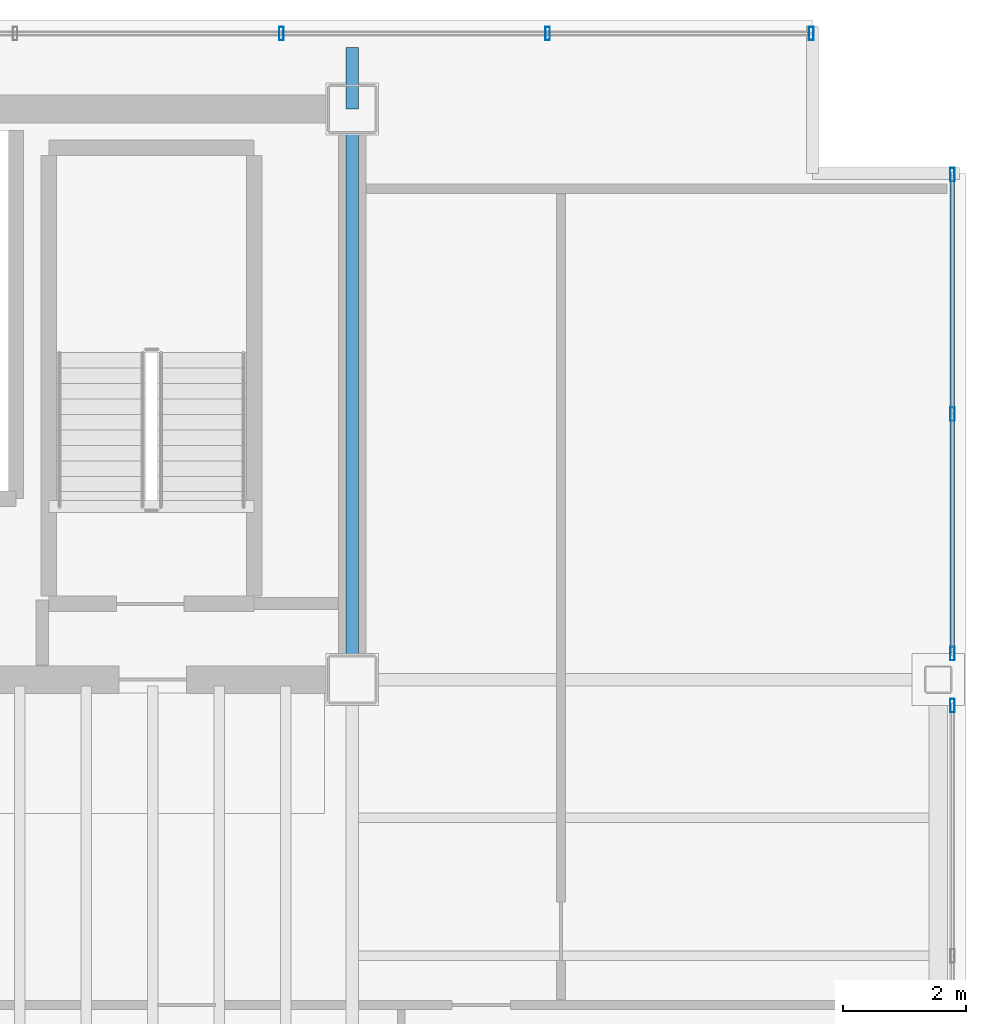
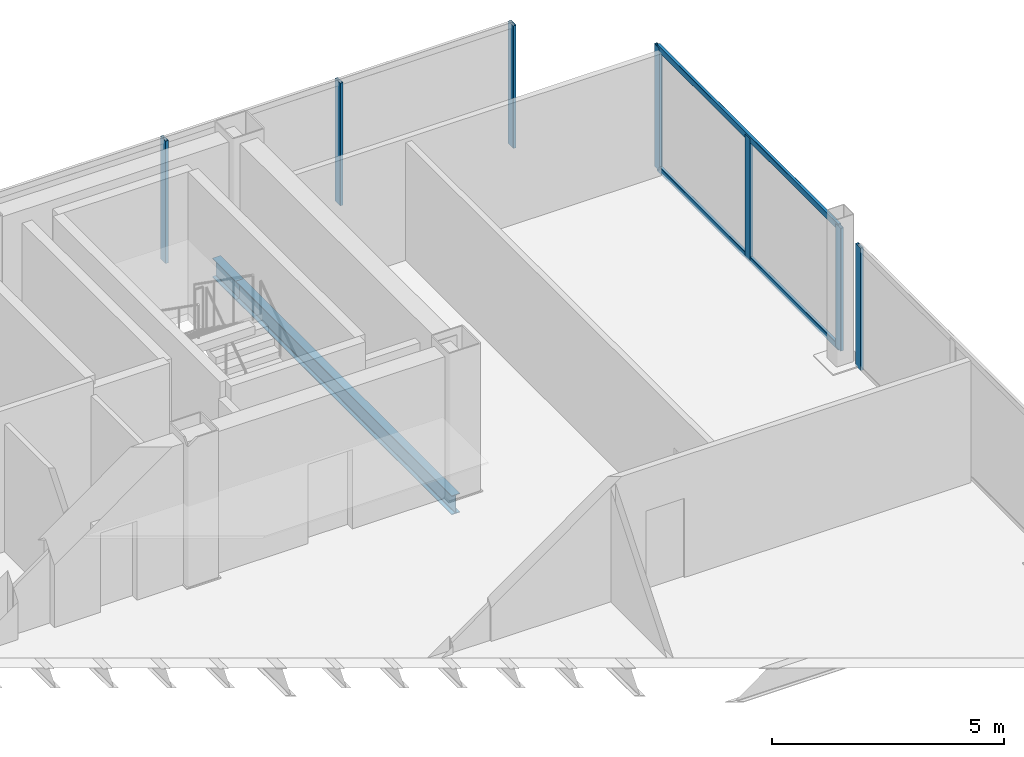
# One storey, part 11 of 15: 9 members, 2 beams, 3 elements without a shape of their own.
"""IFC4 building model written with IfcOpenShell, lengths in metres."""

from ifc_helpers import new_model, si_unit, direction, frame, origin, origin_2d, place, context, subcontext, project, spatial, hollow_rectangle, i_section, extrude, material, material_profile, profile_set, type_object, element, aggregate, save


model = new_model("IFC4")

# Units and contexts
model_context = context("Model", 3, precision=1e-05, world=origin(), true_north=direction((0.0, 1.0)))
body_context = subcontext(model_context, "Body", "Model", "MODEL_VIEW")
ifc_project = project(units=[si_unit("LENGTHUNIT", "METRE"), si_unit("AREAUNIT", "SQUARE_METRE"), si_unit("VOLUMEUNIT", "CUBIC_METRE"), si_unit("PLANEANGLEUNIT", "RADIAN"), si_unit("MASSUNIT", "GRAM", prefix="KILO")], contexts=[model_context])

# Site, building, storey
site_placement = place(None, origin())
site = spatial("IfcSite", under=ifc_project, at=site_placement, CompositionType="ELEMENT")
building_placement = place(site_placement, origin())
building = spatial("IfcBuilding", under=site, at=building_placement, Name="Noeulbin Bourse Tower", CompositionType="ELEMENT")
storey_placement = place(building_placement, frame((0.0, 0.0, 215.0)))
storey = spatial("IfcBuildingStorey", under=building, at=storey_placement, Name="L53", CompositionType="ELEMENT", Elevation=215.0)

# Beams
ifc_material_1 = material(Name="Steel S355", Category="steel")
ifc_material_profile_1 = material_profile(ifc_material_1, i_section(OverallWidth=0.199951171875, OverallDepth=0.5, WebThickness=0.010009765625, FlangeThickness=0.01611328125, FilletRadius=0.02001953125, at=origin_2d()), Name="H-500x200x10x16", Category="LoadBearing")
ifc_profile_set_1 = profile_set([ifc_material_profile_1], Name="Steel S355")
beam_type = type_object("IfcBeamType", Name="BM-GRD-500", PredefinedType="USERDEFINED", material=ifc_profile_set_1)
beam_1_placement = place(storey_placement, frame((44.0, 29.0, -0.429931640625), z_axis=(0.0, 1.0, 0.0), x_axis=(-1.0, 0.0, 0.0)))
element("IfcBeam", 1, at=beam_1_placement, inside=storey, type_object=beam_type, Name="Tower Primary Girder NS L53-5.3", ObjectType="GIRDER", PredefinedType="USERDEFINED", context=body_context, shape_type="SweptSolid", body=[
    extrude(i_section(OverallWidth=0.199951171875, OverallDepth=0.5, WebThickness=0.010009765625, FlangeThickness=0.01611328125, FilletRadius=0.02001953125, at=origin_2d()), origin(), (0.0, 0.0, 1.0), 9.300048828125),
])
beam_2_placement = place(storey_placement, frame((44.0, 38.300048828125, -0.429931640625), z_axis=(0.0, 1.0, 0.0), x_axis=(-1.0, 0.0, 0.0)))
element("IfcBeam", 2, at=beam_2_placement, inside=storey, type_object=beam_type, Name="Tower Primary Girder NS L53-5.4", ObjectType="GIRDER", PredefinedType="USERDEFINED", context=body_context, shape_type="SweptSolid", body=[
    extrude(i_section(OverallWidth=0.199951171875, OverallDepth=0.5, WebThickness=0.010009765625, FlangeThickness=0.01611328125, FilletRadius=0.02001953125, at=origin_2d()), origin(), (0.0, 0.0, 1.0), 1.0),
])

# Curtain wall, members
ifc_material_2 = material(Name="High-Selectivity Low-Iron Glazing", Category="glass")
curtain_wall_type = type_object("IfcCurtainWallType", Name="CW-SYS-4", PredefinedType="NOTDEFINED", material=ifc_material_2)
curtain_wall_1_placement = place(storey_placement, origin())
curtain_wall_1 = element("IfcCurtainWall", 3, at=curtain_wall_1_placement, inside=storey, type_object=curtain_wall_type, Name="Unitised Curtain Wall CW-L53-N", PredefinedType="NOTDEFINED")
ifc_material_3 = material(Name="Anodised Aluminium 6063-T6", Category="aluminium")
ifc_material_profile_2 = material_profile(ifc_material_3, hollow_rectangle(XDim=0.074951171875, YDim=0.219970703125, WallThickness=0.0048828125, InnerFilletRadius=0.00244140625, OuterFilletRadius=0.0048828125, at=origin_2d()), Name="ALU-MULL-75x220x5", Category="LoadBearing")
ifc_profile_set_2 = profile_set([ifc_material_profile_2], Name="Anodised Aluminium 6063-T6")
member_type_1 = type_object("IfcMemberType", Name="CW-SYS-4-MUL", PredefinedType="MULLION", material=ifc_profile_set_2)
member_1_placement = place(storey_placement, frame((42.844482421875, 39.530029296875, -0.02001953125), z_axis=(0.0, 0.0, 1.0), x_axis=(1.0, 0.0, 0.0)))
member_1 = element("IfcMember", 4, at=member_1_placement, type_object=member_type_1, Name="Curtain Wall Mullion CW-L53-N-M07", PredefinedType="MULLION", context=body_context, shape_type="SweptSolid", body=[
    extrude(hollow_rectangle(XDim=0.074951171875, YDim=0.219970703125, WallThickness=0.0048828125, InnerFilletRadius=0.00244140625, OuterFilletRadius=0.0048828125, at=origin_2d()), origin(), (0.0, 0.0, 1.0), 3.219970703125),
])
member_2_placement = place(storey_placement, frame((47.18212890625, 39.530029296875, -0.02001953125), z_axis=(0.0, 0.0, 1.0), x_axis=(1.0, 0.0, 0.0)))
member_2 = element("IfcMember", 5, at=member_2_placement, type_object=member_type_1, Name="Curtain Wall Mullion CW-L53-N-M08", PredefinedType="MULLION", context=body_context, shape_type="SweptSolid", body=[
    extrude(hollow_rectangle(XDim=0.074951171875, YDim=0.219970703125, WallThickness=0.0048828125, InnerFilletRadius=0.00244140625, OuterFilletRadius=0.0048828125, at=origin_2d()), origin(), (0.0, 0.0, 1.0), 3.219970703125),
])
member_3_placement = place(storey_placement, frame((51.47998046875, 39.530029296875, -0.02001953125), z_axis=(0.0, 0.0, 1.0), x_axis=(1.0, 0.0, 0.0)))
member_3 = element("IfcMember", 6, at=member_3_placement, type_object=member_type_1, Name="Curtain Wall Mullion CW-L53-N-M09", PredefinedType="MULLION", context=body_context, shape_type="SweptSolid", body=[
    extrude(hollow_rectangle(XDim=0.074951171875, YDim=0.219970703125, WallThickness=0.0048828125, InnerFilletRadius=0.00244140625, OuterFilletRadius=0.0048828125, at=origin_2d()), origin(), (0.0, 0.0, 1.0), 3.219970703125),
])
aggregate(curtain_wall_1, [member_1, member_2, member_3])

# Curtain wall, member
curtain_wall_2_placement = place(storey_placement, origin())
curtain_wall_2 = element("IfcCurtainWall", 7, at=curtain_wall_2_placement, inside=storey, type_object=curtain_wall_type, Name="Unitised Curtain Wall CW-L53-E-S2", PredefinedType="NOTDEFINED")
member_4_placement = place(storey_placement, frame((53.780029296875, 28.574951171875, -0.02001953125), z_axis=(0.0, 0.0, 1.0), x_axis=(1.0, 0.0, 0.0)))
member_4 = element("IfcMember", 8, at=member_4_placement, type_object=member_type_1, Name="Curtain Wall Mullion CW-L53-E-S2-M02", PredefinedType="MULLION", context=body_context, shape_type="SweptSolid", body=[
    extrude(hollow_rectangle(XDim=0.074951171875, YDim=0.219970703125, WallThickness=0.0048828125, InnerFilletRadius=0.00244140625, OuterFilletRadius=0.0048828125, at=origin_2d()), origin(), (0.0, 0.0, 1.0), 3.219970703125),
])
aggregate(curtain_wall_2, [member_4])

# Curtain wall, members
curtain_wall_3_placement = place(storey_placement, origin())
curtain_wall_3 = element("IfcCurtainWall", 9, at=curtain_wall_3_placement, inside=storey, type_object=curtain_wall_type, Name="Unitised Curtain Wall CW-L53-E-S3", PredefinedType="NOTDEFINED")
member_5_placement = place(storey_placement, frame((53.780029296875, 29.425048828125, -0.02001953125), z_axis=(0.0, 0.0, 1.0), x_axis=(1.0, 0.0, 0.0)))
member_5 = element("IfcMember", 10, at=member_5_placement, type_object=member_type_1, Name="Curtain Wall Mullion CW-L53-E-S3-M00", PredefinedType="MULLION", context=body_context, shape_type="SweptSolid", body=[
    extrude(hollow_rectangle(XDim=0.074951171875, YDim=0.219970703125, WallThickness=0.0048828125, InnerFilletRadius=0.00244140625, OuterFilletRadius=0.0048828125, at=origin_2d()), origin(), (0.0, 0.0, 1.0), 3.219970703125),
])
member_6_placement = place(storey_placement, frame((53.780029296875, 33.327392578125, -0.02001953125), z_axis=(0.0, 0.0, 1.0), x_axis=(1.0, 0.0, 0.0)))
member_6 = element("IfcMember", 11, at=member_6_placement, type_object=member_type_1, Name="Curtain Wall Mullion CW-L53-E-S3-M01", PredefinedType="MULLION", context=body_context, shape_type="SweptSolid", body=[
    extrude(hollow_rectangle(XDim=0.074951171875, YDim=0.219970703125, WallThickness=0.0048828125, InnerFilletRadius=0.00244140625, OuterFilletRadius=0.0048828125, at=origin_2d()), origin(), (0.0, 0.0, 1.0), 3.219970703125),
])
member_7_placement = place(storey_placement, frame((53.780029296875, 37.22998046875, -0.02001953125), z_axis=(0.0, 0.0, 1.0), x_axis=(1.0, 0.0, 0.0)))
member_7 = element("IfcMember", 12, at=member_7_placement, type_object=member_type_1, Name="Curtain Wall Mullion CW-L53-E-S3-M02", PredefinedType="MULLION", context=body_context, shape_type="SweptSolid", body=[
    extrude(hollow_rectangle(XDim=0.074951171875, YDim=0.219970703125, WallThickness=0.0048828125, InnerFilletRadius=0.00244140625, OuterFilletRadius=0.0048828125, at=origin_2d()), origin(), (0.0, 0.0, 1.0), 3.219970703125),
])
ifc_material_profile_3 = material_profile(ifc_material_3, hollow_rectangle(XDim=0.074951171875, YDim=0.159912109375, WallThickness=0.0048828125, InnerFilletRadius=0.00244140625, OuterFilletRadius=0.0048828125, at=origin_2d()), Name="ALU-TRAN-75x160x5", Category="LoadBearing")
ifc_profile_set_3 = profile_set([ifc_material_profile_3], Name="Anodised Aluminium 6063-T6")
member_type_2 = type_object("IfcMemberType", Name="CW-SYS-4-TRN", PredefinedType="USERDEFINED", material=ifc_profile_set_3)
member_8_placement = place(storey_placement, frame((53.780029296875, 29.43505859375, 0.010009765625), z_axis=(0.0, 1.0, 0.0), x_axis=(-1.0, 0.0, 0.0)))
member_8 = element("IfcMember", 13, at=member_8_placement, type_object=member_type_2, Name="Curtain Wall Transom CW-L53-E-S3-T00", ObjectType="TRANSOM", PredefinedType="USERDEFINED", context=body_context, shape_type="SweptSolid", body=[
    extrude(hollow_rectangle(XDim=0.074951171875, YDim=0.159912109375, WallThickness=0.0048828125, InnerFilletRadius=0.00244140625, OuterFilletRadius=0.0048828125, at=origin_2d()), origin(), (0.0, 0.0, 1.0), 7.784912109375),
])
member_9_placement = place(storey_placement, frame((53.780029296875, 29.43505859375, 3.169921875), z_axis=(0.0, 1.0, 0.0), x_axis=(-1.0, 0.0, 0.0)))
member_9 = element("IfcMember", 14, at=member_9_placement, type_object=member_type_2, Name="Curtain Wall Transom CW-L53-E-S3-T01", ObjectType="TRANSOM", PredefinedType="USERDEFINED", context=body_context, shape_type="SweptSolid", body=[
    extrude(hollow_rectangle(XDim=0.074951171875, YDim=0.159912109375, WallThickness=0.0048828125, InnerFilletRadius=0.00244140625, OuterFilletRadius=0.0048828125, at=origin_2d()), origin(), (0.0, 0.0, 1.0), 7.784912109375),
])
aggregate(curtain_wall_3, [member_5, member_6, member_7, member_8, member_9])

save(model, "model.ifc")
